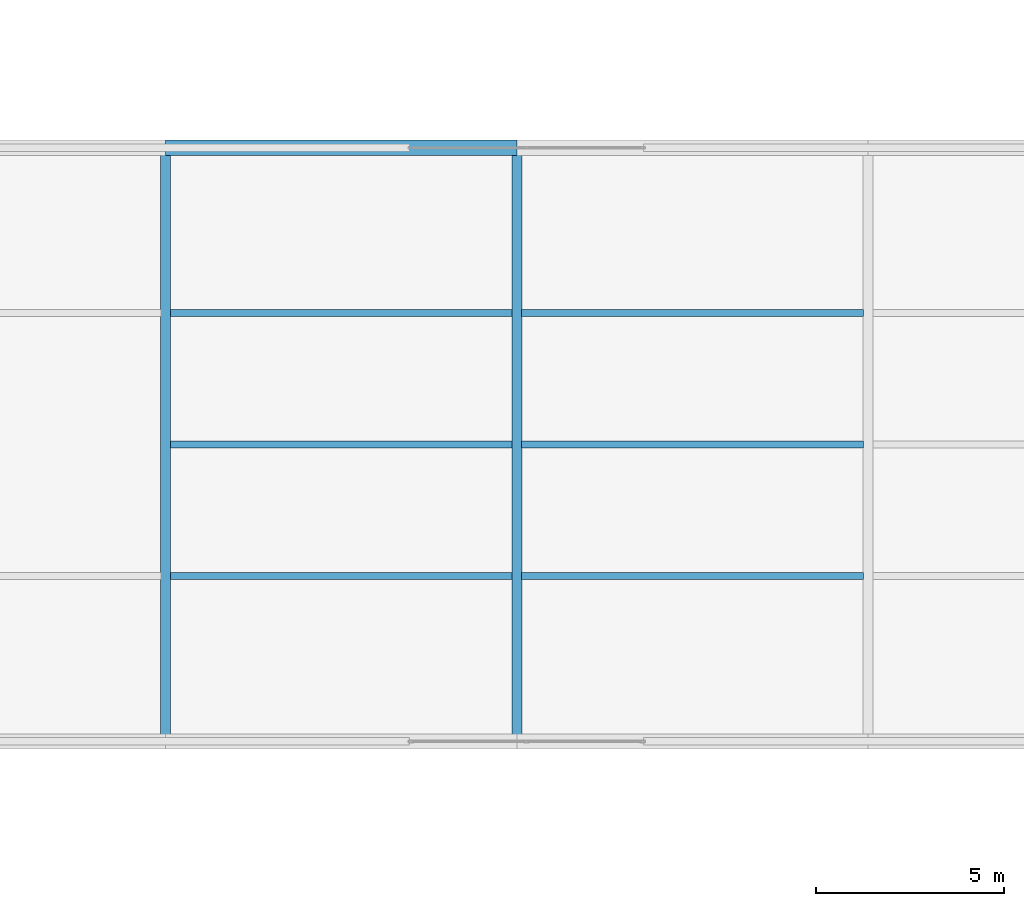
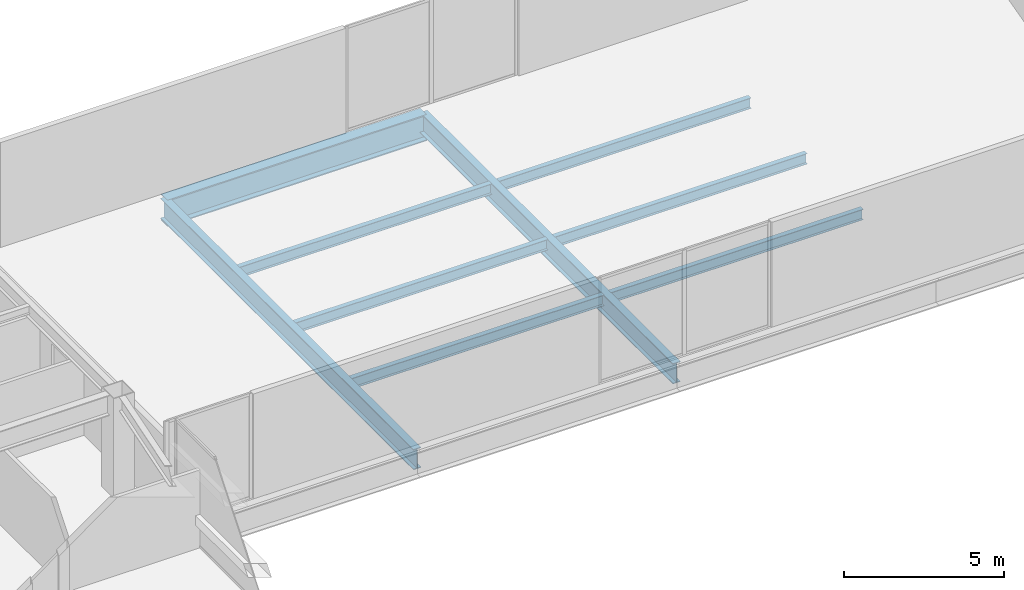
# One storey, part 22 of 51: 9 beams.
"""IFC4 building model written with IfcOpenShell, lengths in metres."""

from ifc_helpers import new_model, si_unit, direction, frame, origin, origin_2d, place, context, subcontext, project, spatial, i_section, extrude, material, material_profile, profile_set, type_object, element, save


model = new_model("IFC4")

# Units and contexts
model_context = context("Model", 3, precision=1e-05, world=origin(), true_north=direction((0.0, 1.0)))
body_context = subcontext(model_context, "Body", "Model", "MODEL_VIEW")
ifc_project = project(units=[si_unit("LENGTHUNIT", "METRE"), si_unit("AREAUNIT", "SQUARE_METRE"), si_unit("VOLUMEUNIT", "CUBIC_METRE"), si_unit("PLANEANGLEUNIT", "RADIAN"), si_unit("MASSUNIT", "GRAM", prefix="KILO")], contexts=[model_context])

# Site, building, storey
site_placement = place(None, origin())
site = spatial("IfcSite", under=ifc_project, at=site_placement, CompositionType="ELEMENT")
building_placement = place(site_placement, origin())
building = spatial("IfcBuilding", under=site, at=building_placement, Name="Tashvorn Skyway Center", CompositionType="ELEMENT")
storey_placement = place(building_placement, frame((0.0, 0.0, 251.39990234375)))
storey = spatial("IfcBuildingStorey", under=building, at=storey_placement, Name="L68", CompositionType="ELEMENT", Elevation=251.39990234375)

# Beams
ifc_material_1 = material(Name="Steel ASTM A992 Grade 50", Category="steel")
ifc_material_profile_1 = material_profile(ifc_material_1, i_section(OverallWidth=0.26708984375, OverallDepth=0.779052734375, WebThickness=0.0166015625, FlangeThickness=0.030029296875, at=origin_2d()), Name="W30X148")
ifc_profile_set_1 = profile_set([ifc_material_profile_1], Name="Steel ASTM A992 Grade 50")
beam_type_1 = type_object("IfcBeamType", Name="BM-BEAM-W30X148", PredefinedType="BEAM", material=ifc_profile_set_1)
for number, where, z_axis, x_axis, name in (
    (1, (66.39990234375, 24.10009765625, -0.609375), (0.0, 1.0, 0.0), (-1.0, 0.0, 0.0), "Sky-Park L68 Transverse Floor Beam 07"),
    (2, (75.75, 24.10009765625, -0.609375), (0.0, 1.0, 0.0), (-1.0, 0.0, 0.0), "Sky-Park L68 Transverse Floor Beam 08"),
):
    element("IfcBeam", number, at=place(storey_placement, frame(where, z_axis=z_axis, x_axis=x_axis)), inside=storey, type_object=beam_type_1, Name=name, PredefinedType="BEAM", context=body_context, shape_type="SweptSolid", body=[
        extrude(i_section(OverallWidth=0.26708984375, OverallDepth=0.779052734375, WebThickness=0.0166015625, FlangeThickness=0.030029296875, at=origin_2d()), origin(), (0.0, 0.0, 1.0), 15.7998046875),
    ])
ifc_material_2 = material(Name="Steel ASTM A913 Grade 65", Category="steel")
ifc_material_profile_2 = material_profile(ifc_material_2, i_section(OverallWidth=0.40087890625, OverallDepth=1.010986328125, WebThickness=0.023681640625, FlangeThickness=0.0419921875, at=origin_2d()), Name="W40X297")
ifc_profile_set_2 = profile_set([ifc_material_profile_2], Name="Steel ASTM A913 Grade 65")
beam_type_2 = type_object("IfcBeamType", Name="BM-BEAM-W40X297", PredefinedType="BEAM", material=ifc_profile_set_2)
beam_placement = place(storey_placement, frame((66.39990234375, 39.89990234375, -0.725341796875), z_axis=(1.0, 0.0, 0.0), x_axis=(0.0, 1.0, 0.0)))
element("IfcBeam", 3, at=beam_placement, inside=storey, type_object=beam_type_2, Name="Sky-Park Truss 2 Bottom Chord Panel 07", PredefinedType="BEAM", context=body_context, shape_type="SweptSolid", body=[
    extrude(i_section(OverallWidth=0.40087890625, OverallDepth=1.010986328125, WebThickness=0.023681640625, FlangeThickness=0.0419921875, at=origin_2d()), origin(), (0.0, 0.0, 1.0), 9.35009765625),
])
ifc_material_profile_3 = material_profile(ifc_material_1, i_section(OverallWidth=0.177978515625, OverallDepth=0.406005859375, WebThickness=0.0078125, FlangeThickness=0.0126953125, at=origin_2d()), Name="W16X40")
ifc_profile_set_3 = profile_set([ifc_material_profile_3], Name="Steel ASTM A992 Grade 50")
beam_type_3 = type_object("IfcBeamType", Name="BM-JOIST-W16X40", PredefinedType="JOIST", material=ifc_profile_set_3)
for number, where, z_axis, x_axis, name in (
    (4, (66.525390625, 28.5, -0.4228515625), (1.0, 0.0, 0.0), (0.0, 1.0, 0.0), "Sky-Park L68 Longitudinal Joist 07-1"),
    (5, (66.525390625, 32.0, -0.4228515625), (1.0, 0.0, 0.0), (0.0, 1.0, 0.0), "Sky-Park L68 Longitudinal Joist 07-2"),
    (6, (66.525390625, 35.5, -0.4228515625), (1.0, 0.0, 0.0), (0.0, 1.0, 0.0), "Sky-Park L68 Longitudinal Joist 07-3"),
    (7, (75.87548828125, 28.5, -0.4228515625), (1.0, 0.0, 0.0), (0.0, 1.0, 0.0), "Sky-Park L68 Longitudinal Joist 08-1"),
    (8, (75.87548828125, 32.0, -0.4228515625), (1.0, 0.0, 0.0), (0.0, 1.0, 0.0), "Sky-Park L68 Longitudinal Joist 08-2"),
    (9, (75.87548828125, 35.5, -0.4228515625), (1.0, 0.0, 0.0), (0.0, 1.0, 0.0), "Sky-Park L68 Longitudinal Joist 08-3"),
):
    element("IfcBeam", number, at=place(storey_placement, frame(where, z_axis=z_axis, x_axis=x_axis)), inside=storey, type_object=beam_type_3, Name=name, PredefinedType="JOIST", context=body_context, shape_type="SweptSolid", body=[
        extrude(i_section(OverallWidth=0.177978515625, OverallDepth=0.406005859375, WebThickness=0.0078125, FlangeThickness=0.0126953125, at=origin_2d()), origin(), (0.0, 0.0, 1.0), 9.09912109375),
    ])

save(model, "model.ifc")
